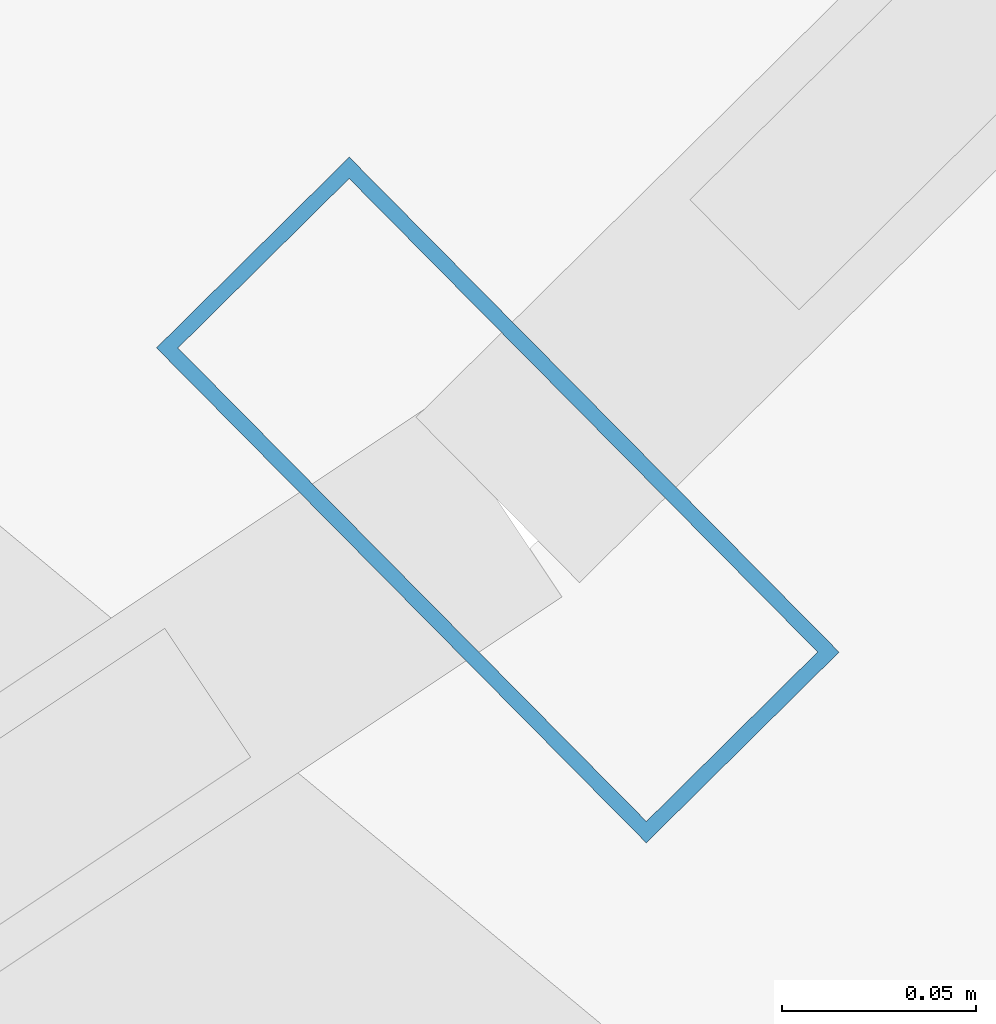
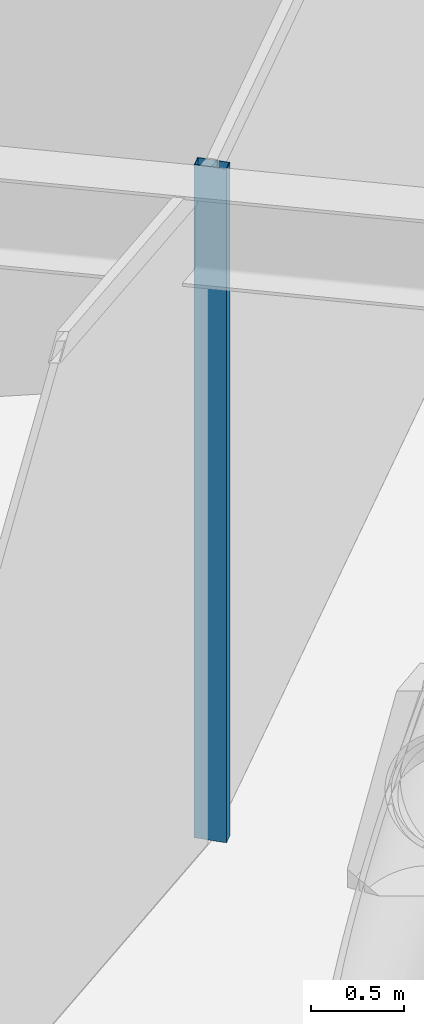
# One storey, part 13 of 39: 1 member, 1 element without a shape of its own.
"""IFC4 building model written with IfcOpenShell, lengths in metres."""

from ifc_helpers import new_model, si_unit, direction, frame, origin, origin_2d, place, context, subcontext, project, spatial, hollow_rectangle, extrude, material, layer, layer_set, material_profile, profile_set, type_object, element, aggregate, save


model = new_model("IFC4")

# Units and contexts
model_context = context("Model", 3, precision=1e-05, world=origin(), true_north=direction((0.0, 1.0)))
body_context = subcontext(model_context, "Body", "Model", "MODEL_VIEW")
ifc_project = project(units=[si_unit("LENGTHUNIT", "METRE"), si_unit("AREAUNIT", "SQUARE_METRE"), si_unit("VOLUMEUNIT", "CUBIC_METRE"), si_unit("PLANEANGLEUNIT", "RADIAN"), si_unit("MASSUNIT", "GRAM", prefix="KILO")], contexts=[model_context])

# Site, building, storey
site_placement = place(None, origin())
site = spatial("IfcSite", under=ifc_project, at=site_placement, CompositionType="ELEMENT")
building_placement = place(site_placement, origin())
building = spatial("IfcBuilding", under=site, at=building_placement, Name="Veldorina Hangang Commons", CompositionType="ELEMENT")
storey_placement = place(building_placement, frame((0.0, 0.0, 106.0)))
storey = spatial("IfcBuildingStorey", under=building, at=storey_placement, Name="L27", CompositionType="ELEMENT", Elevation=106.0)

# Curtain wall, member
ifc_material_1 = material(Name="Glass Acoustic Laminated", Category="glass")
ifc_layer = layer(ifc_material_1, 0.179931640625)
ifc_layer_set = layer_set([ifc_layer], Name="Glass Acoustic Laminated")
curtain_wall_type = type_object("IfcCurtainWallType", Name="CW-SYS-SKY", PredefinedType="NOTDEFINED", material=ifc_layer_set)
curtain_wall_placement = place(storey_placement, origin())
curtain_wall = element("IfcCurtainWall", 1, at=curtain_wall_placement, inside=storey, type_object=curtain_wall_type, Name="L27 unitised curtain wall CW-L27-R12", PredefinedType="NOTDEFINED")
ifc_material_2 = material(Name="Aluminium Anodized AA6063-T6", Category="aluminium")
ifc_material_profile = material_profile(ifc_material_2, hollow_rectangle(XDim=0.070068359375, YDim=0.179931640625, WallThickness=0.00390625, at=origin_2d()), Name="ALU-RHS-180x70x4")
ifc_profile_set = profile_set([ifc_material_profile], Name="Aluminium Anodized AA6063-T6")
member_type = type_object("IfcMemberType", Name="CW-MUL-180", PredefinedType="MULLION", material=ifc_profile_set)
member_placement = place(storey_placement, frame((50.57080078125, 8.918701171875, 0.0), z_axis=(0.0, 0.0, 1.0), x_axis=(0.710824026547, 0.7033698908, 0.0)))
member = element("IfcMember", 2, at=member_placement, type_object=member_type, Name="CW-L27-R12 vertical mullion 2", PredefinedType="MULLION", context=body_context, shape_type="SweptSolid", body=[
    extrude(hollow_rectangle(XDim=0.070068359375, YDim=0.179931640625, WallThickness=0.00390625, at=origin_2d()), origin(), (0.0, 0.0, 1.0), 4.39990234375),
])
aggregate(curtain_wall, [member])

save(model, "model.ifc")
